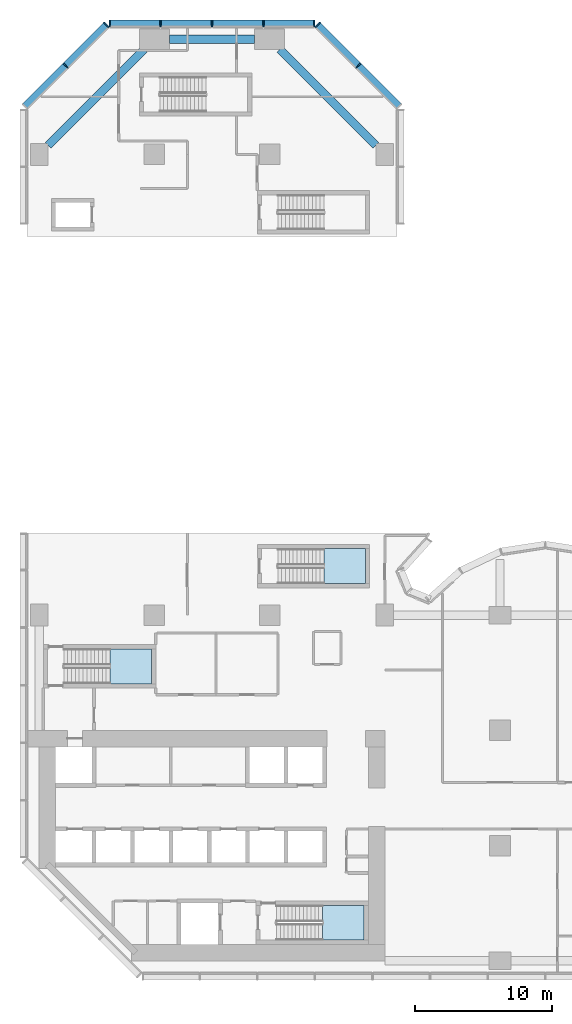
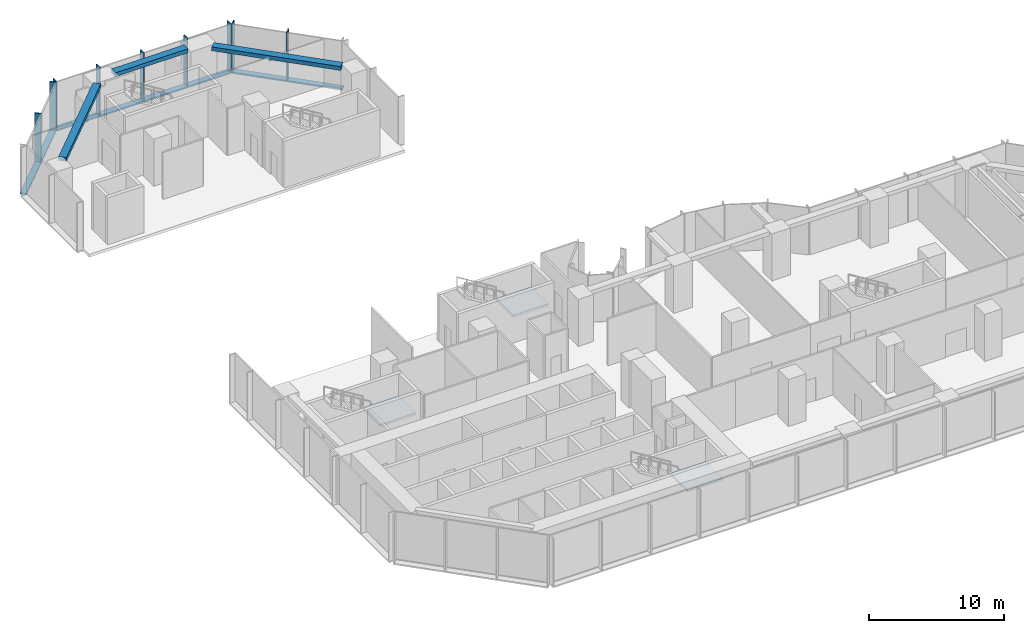
# One storey, part 6 of 18: 12 members, 3 beams, 3 slabs, 6 elements without a shape of their own.
"""IFC4 building model written with IfcOpenShell, lengths in metres."""

from ifc_helpers import new_model, si_unit, direction, frame, origin, origin_2d, place, context, subcontext, project, spatial, polyline, rectangle, outline, extrude, material, layer, layer_set, material_profile, profile_set, type_object, element, aggregate, save


model = new_model("IFC4")

# Units and contexts
model_context = context("Model", 3, precision=1e-05, world=origin(), true_north=direction((0.0, 1.0)))
body_context = subcontext(model_context, "Body", "Model", "MODEL_VIEW")
ifc_project = project(units=[si_unit("LENGTHUNIT", "METRE"), si_unit("AREAUNIT", "SQUARE_METRE"), si_unit("VOLUMEUNIT", "CUBIC_METRE"), si_unit("PLANEANGLEUNIT", "RADIAN"), si_unit("MASSUNIT", "GRAM", prefix="KILO")], contexts=[model_context])

# Site, building, storey
site_placement = place(None, origin())
site = spatial("IfcSite", under=ifc_project, at=site_placement, CompositionType="ELEMENT")
building_placement = place(site_placement, origin())
building = spatial("IfcBuilding", under=site, at=building_placement, Name="Brevane Broadcast Tower", CompositionType="ELEMENT")
storey_placement = place(building_placement, frame((0.0, 0.0, 27.5)))
storey = spatial("IfcBuildingStorey", under=building, at=storey_placement, Name="L04", CompositionType="ELEMENT", Elevation=27.5)

# Curtain wall, members
ifc_material_1 = material(Name="Aluminium 6063-T6 bronze anodised", Category="aluminium")
curtain_wall_type = type_object("IfcCurtainWallType", Name="CW-2 curtain wall", PredefinedType="NOTDEFINED", material=ifc_material_1)
curtain_wall_1_placement = place(storey_placement, origin())
curtain_wall_1 = element("IfcCurtainWall", 1, at=curtain_wall_1_placement, inside=storey, type_object=curtain_wall_type, Name="CW-2 podium base unit L04 north arm north-east chamfer", PredefinedType="NOTDEFINED")
ifc_material_profile_1 = material_profile(ifc_material_1, rectangle(XDim=0.5, YDim=0.090087890625, at=origin_2d()), Name="RECT 90x500")
ifc_profile_set_1 = profile_set([ifc_material_profile_1], Name="Aluminium 6063-T6 bronze anodised")
member_type_1 = type_object("IfcMemberType", Name="CW-2 mullion 90x500", PredefinedType="MULLION", material=ifc_profile_set_1)
member_1_placement = place(storey_placement, frame((23.27685546875, 65.27685546875, -0.1298828125), z_axis=(0.0, 0.0, 1.0), x_axis=(-0.707106781187, -0.707106781187, 0.0)))
member_1 = element("IfcMember", 2, at=member_1_placement, type_object=member_type_1, Name="CW-2 mullion", PredefinedType="MULLION", context=body_context, shape_type="SweptSolid", body=[
    extrude(rectangle(XDim=0.5, YDim=0.090087890625, at=origin_2d()), origin(), (0.0, 0.0, 1.0), 4.3798828125),
])
member_2_placement = place(storey_placement, frame((20.30859375, 68.244873046875, -0.1298828125), z_axis=(0.0, 0.0, 1.0), x_axis=(-0.707106781187, -0.707106781187, 0.0)))
member_2 = element("IfcMember", 3, at=member_2_placement, type_object=member_type_1, Name="CW-2 mullion", PredefinedType="MULLION", context=body_context, shape_type="SweptSolid", body=[
    extrude(rectangle(XDim=0.5, YDim=0.090087890625, at=origin_2d()), origin(), (0.0, 0.0, 1.0), 4.3798828125),
])

curtain_wall_2_placement = place(storey_placement, origin())
curtain_wall_2 = element("IfcCurtainWall", 4, at=curtain_wall_2_placement, inside=storey, type_object=curtain_wall_type, Name="CW-2 podium base unit L04 north end", PredefinedType="NOTDEFINED")
member_3_placement = place(storey_placement, frame((20.054931640625, 68.35009765625, -0.1298828125), z_axis=(0.0, 0.0, 1.0), x_axis=(0.0, -1.0, 0.0)))
member_3 = element("IfcMember", 5, at=member_3_placement, type_object=member_type_1, Name="CW-2 mullion", PredefinedType="MULLION", context=body_context, shape_type="SweptSolid", body=[
    extrude(rectangle(XDim=0.5, YDim=0.090087890625, at=origin_2d()), origin(), (0.0, 0.0, 1.0), 4.3798828125),
])
member_4_placement = place(storey_placement, frame((16.35009765625, 68.35009765625, -0.1298828125), z_axis=(0.0, 0.0, 1.0), x_axis=(0.0, -1.0, 0.0)))
member_4 = element("IfcMember", 6, at=member_4_placement, type_object=member_type_1, Name="CW-2 mullion", PredefinedType="MULLION", context=body_context, shape_type="SweptSolid", body=[
    extrude(rectangle(XDim=0.5, YDim=0.090087890625, at=origin_2d()), origin(), (0.0, 0.0, 1.0), 4.3798828125),
])
member_5_placement = place(storey_placement, frame((12.60009765625, 68.35009765625, -0.1298828125), z_axis=(0.0, 0.0, 1.0), x_axis=(0.0, -1.0, 0.0)))
member_5 = element("IfcMember", 7, at=member_5_placement, type_object=member_type_1, Name="CW-2 mullion", PredefinedType="MULLION", context=body_context, shape_type="SweptSolid", body=[
    extrude(rectangle(XDim=0.5, YDim=0.090087890625, at=origin_2d()), origin(), (0.0, 0.0, 1.0), 4.3798828125),
])
member_6_placement = place(storey_placement, frame((8.85009765625, 68.35009765625, -0.1298828125), z_axis=(0.0, 0.0, 1.0), x_axis=(0.0, -1.0, 0.0)))
member_6 = element("IfcMember", 8, at=member_6_placement, type_object=member_type_1, Name="CW-2 mullion", PredefinedType="MULLION", context=body_context, shape_type="SweptSolid", body=[
    extrude(rectangle(XDim=0.5, YDim=0.090087890625, at=origin_2d()), origin(), (0.0, 0.0, 1.0), 4.3798828125),
])
member_7_placement = place(storey_placement, frame((5.14501953125, 68.35009765625, -0.1298828125), z_axis=(0.0, 0.0, 1.0), x_axis=(0.0, -1.0, 0.0)))
member_7 = element("IfcMember", 9, at=member_7_placement, type_object=member_type_1, Name="CW-2 mullion", PredefinedType="MULLION", context=body_context, shape_type="SweptSolid", body=[
    extrude(rectangle(XDim=0.5, YDim=0.090087890625, at=origin_2d()), origin(), (0.0, 0.0, 1.0), 4.3798828125),
])

curtain_wall_3_placement = place(storey_placement, origin())
curtain_wall_3 = element("IfcCurtainWall", 10, at=curtain_wall_3_placement, inside=storey, type_object=curtain_wall_type, Name="CW-2 podium base unit L04 north-west chamfer", PredefinedType="NOTDEFINED")
member_8_placement = place(storey_placement, frame((4.891357421875, 68.244873046875, -0.1298828125), z_axis=(0.0, 0.0, 1.0), x_axis=(0.707106781187, -0.707106781187, 0.0)))
member_8 = element("IfcMember", 11, at=member_8_placement, type_object=member_type_1, Name="CW-2 mullion", PredefinedType="MULLION", context=body_context, shape_type="SweptSolid", body=[
    extrude(rectangle(XDim=0.5, YDim=0.090087890625, at=origin_2d()), origin(), (0.0, 0.0, 1.0), 4.3798828125),
])
member_9_placement = place(storey_placement, frame((1.92333984375, 65.27685546875, -0.1298828125), z_axis=(0.0, 0.0, 1.0), x_axis=(0.707106781187, -0.707106781187, 0.0)))
member_9 = element("IfcMember", 12, at=member_9_placement, type_object=member_type_1, Name="CW-2 mullion", PredefinedType="MULLION", context=body_context, shape_type="SweptSolid", body=[
    extrude(rectangle(XDim=0.5, YDim=0.090087890625, at=origin_2d()), origin(), (0.0, 0.0, 1.0), 4.3798828125),
])

# Member
ifc_material_profile_2 = material_profile(ifc_material_1, rectangle(XDim=0.5, YDim=0.1201171875, at=origin_2d()), Name="RECT 120x500")
ifc_profile_set_2 = profile_set([ifc_material_profile_2], Name="Aluminium 6063-T6 bronze anodised")
member_type_2 = type_object("IfcMemberType", Name="CW-2 transom 120x500", PredefinedType="USERDEFINED", material=ifc_profile_set_2)
member_10_placement = place(storey_placement, frame((26.27685546875, 62.27685546875, -0.18994140625), z_axis=(-0.707106781187, 0.707106781187, 0.0), x_axis=(-0.707106781187, -0.707106781187, 0.0)))
member_10 = element("IfcMember", 13, at=member_10_placement, type_object=member_type_2, Name="CW-2 transom", ObjectType="TRANSOM", PredefinedType="USERDEFINED", context=body_context, shape_type="SweptSolid", body=[
    extrude(rectangle(XDim=0.5, YDim=0.1201171875, at=origin_2d()), origin(), (0.0, 0.0, 1.0), 8.4853515625),
])

aggregate(curtain_wall_1, [member_1, member_2, member_10])

member_11_placement = place(storey_placement, frame((20.10009765625, 68.35009765625, -0.18994140625), z_axis=(-1.0, 0.0, 0.0), x_axis=(0.0, -1.0, 0.0)))
member_11 = element("IfcMember", 14, at=member_11_placement, type_object=member_type_2, Name="CW-2 transom", ObjectType="TRANSOM", PredefinedType="USERDEFINED", context=body_context, shape_type="SweptSolid", body=[
    extrude(rectangle(XDim=0.5, YDim=0.1201171875, at=origin_2d()), origin(), (0.0, 0.0, 1.0), 15.0),
])

aggregate(curtain_wall_2, [member_3, member_4, member_5, member_6, member_7, member_11])

member_12_placement = place(storey_placement, frame((4.92333984375, 68.27685546875, -0.18994140625), z_axis=(-0.707106781187, -0.707106781187, 0.0), x_axis=(0.707106781187, -0.707106781187, 0.0)))
member_12 = element("IfcMember", 15, at=member_12_placement, type_object=member_type_2, Name="CW-2 transom", ObjectType="TRANSOM", PredefinedType="USERDEFINED", context=body_context, shape_type="SweptSolid", body=[
    extrude(rectangle(XDim=0.5, YDim=0.1201171875, at=origin_2d()), origin(), (0.0, 0.0, 1.0), 8.4853515625),
])

aggregate(curtain_wall_3, [member_8, member_9, member_12])

# Beams
ifc_material_2 = material(Name="Concrete C40/50", Category="concrete")
ifc_material_profile_3 = material_profile(ifc_material_2, rectangle(XDim=0.60009765625, YDim=0.35009765625, at=origin_2d()), Name="RC 600x350")
ifc_profile_set_3 = profile_set([ifc_material_profile_3], Name="Concrete C40/50")
beam_type = type_object("IfcBeamType", Name="RC SPANDREL BEAM 600x350 C40/50", PredefinedType="SPANDREL", material=ifc_profile_set_3)
beam_1_placement = place(storey_placement, frame((24.550048828125, 59.449951171875, 4.074951171875), z_axis=(-0.707106781187, 0.707106781187, 0.0), x_axis=(-0.707106781187, -0.707106781187, 0.0)))
element("IfcBeam", 16, at=beam_1_placement, inside=storey, type_object=beam_type, Name="EB1 L04-12", PredefinedType="SPANDREL", context=body_context, shape_type="SweptSolid", body=[
    extrude(rectangle(XDim=0.60009765625, YDim=0.35009765625, at=origin_2d()), origin(), (0.0, 0.0, 1.0), 9.8994140625),
])
beam_2_placement = place(storey_placement, frame((15.699951171875, 67.199951171875, 4.074951171875), z_axis=(-1.0, 0.0, 0.0), x_axis=(0.0, -1.0, 0.0)))
element("IfcBeam", 17, at=beam_2_placement, inside=storey, type_object=beam_type, Name="EB1 L04-13", PredefinedType="SPANDREL", context=body_context, shape_type="SweptSolid", body=[
    extrude(rectangle(XDim=0.60009765625, YDim=0.35009765625, at=origin_2d()), origin(), (0.0, 0.0, 1.0), 6.199951171875),
])
beam_3_placement = place(storey_placement, frame((7.64990234375, 66.449951171875, 4.074951171875), z_axis=(-0.707106781187, -0.707106781187, 0.0), x_axis=(0.707106781187, -0.707106781187, 0.0)))
element("IfcBeam", 18, at=beam_3_placement, inside=storey, type_object=beam_type, Name="EB1 L04-14", PredefinedType="SPANDREL", context=body_context, shape_type="SweptSolid", body=[
    extrude(rectangle(XDim=0.60009765625, YDim=0.35009765625, at=origin_2d()), origin(), (0.0, 0.0, 1.0), 9.8994140625),
])

# Stair, slab
ifc_material_3 = material(Name="Concrete C50/60", Category="concrete")
stair_type = type_object("IfcStairType", Name="Exit stair 26 risers", PredefinedType="HALF_TURN_STAIR", material=ifc_material_3)
stair_1_placement = place(storey_placement, origin())
stair_1 = element("IfcStair", 19, at=stair_1_placement, inside=storey, type_object=stair_type, Name="L04 Exit stair ST-1", PredefinedType="HALF_TURN_STAIR")
ifc_layer = layer(ifc_material_3, 0.199951171875)
ifc_layer_set = layer_set([ifc_layer], Name="Exit stair landing")
slab_type = type_object("IfcSlabType", Name="Exit stair landing", PredefinedType="LANDING", material=ifc_layer_set)
slab_1_placement = place(storey_placement, frame((0.0, 0.0, 2.050048828125)))
slab_1 = element("IfcSlab", 20, at=slab_1_placement, type_object=slab_type, Name="ST-1 landing 1", PredefinedType="LANDING", context=body_context, shape_type="SweptSolid", body=[
    extrude(outline(polyline([(5.159912109375, 20.199951171875), (8.199951171875, 20.199951171875), (8.199951171875, 22.75), (5.159912109375, 22.75), (5.159912109375, 20.199951171875)])), origin(), (0.0, 0.0, 1.0), 0.199951171875),
])
aggregate(stair_1, [slab_1])

stair_2_placement = place(storey_placement, origin())
stair_2 = element("IfcStair", 21, at=stair_2_placement, inside=storey, type_object=stair_type, Name="L04 Exit stair ST-2", PredefinedType="HALF_TURN_STAIR")
slab_2_placement = place(storey_placement, frame((0.0, 0.0, 2.050048828125)))
slab_2 = element("IfcSlab", 22, at=slab_2_placement, type_object=slab_type, Name="ST-2 landing 1", PredefinedType="LANDING", context=body_context, shape_type="SweptSolid", body=[
    extrude(outline(polyline([(20.659912109375, 1.5), (23.699951171875, 1.5), (23.699951171875, 4.050048828125), (20.659912109375, 4.050048828125), (20.659912109375, 1.5)])), origin(), (0.0, 0.0, 1.0), 0.199951171875),
])
aggregate(stair_2, [slab_2])

stair_3_placement = place(storey_placement, origin())
stair_3 = element("IfcStair", 23, at=stair_3_placement, inside=storey, type_object=stair_type, Name="L04 Exit stair ST-3", PredefinedType="HALF_TURN_STAIR")
slab_3_placement = place(storey_placement, frame((0.0, 0.0, 2.050048828125)))
slab_3 = element("IfcSlab", 24, at=slab_3_placement, type_object=slab_type, Name="ST-3 landing 1", PredefinedType="LANDING", context=body_context, shape_type="SweptSolid", body=[
    extrude(outline(polyline([(20.760009765625, 27.5), (23.800048828125, 27.5), (23.800048828125, 30.050048828125), (20.760009765625, 30.050048828125), (20.760009765625, 27.5)])), origin(), (0.0, 0.0, 1.0), 0.199951171875),
])
aggregate(stair_3, [slab_3])

save(model, "model.ifc")
